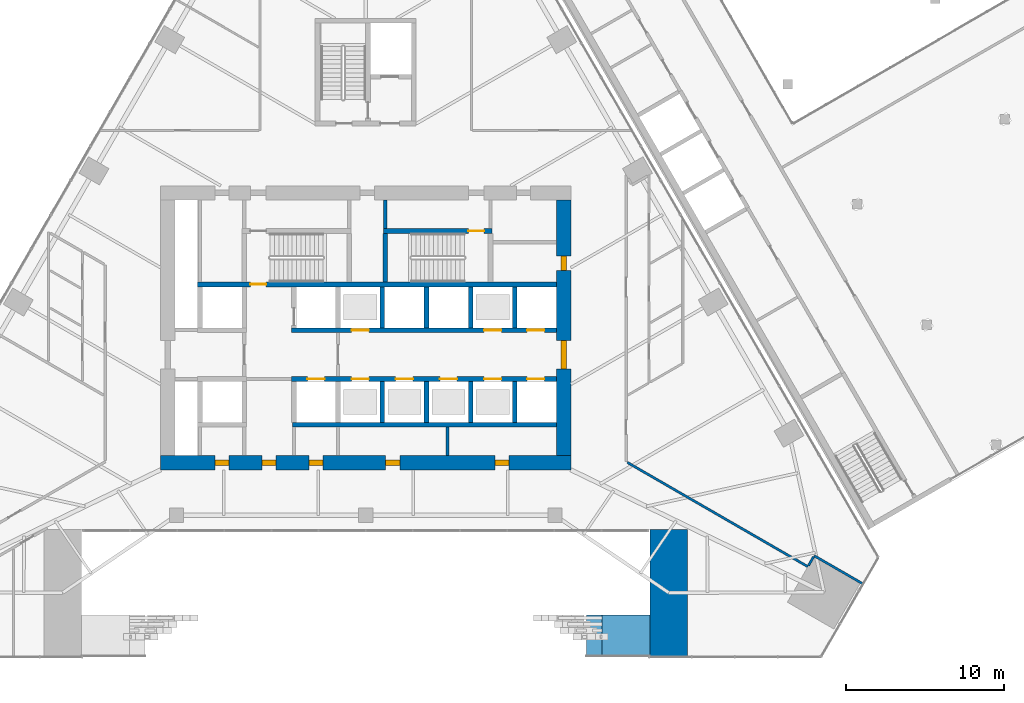
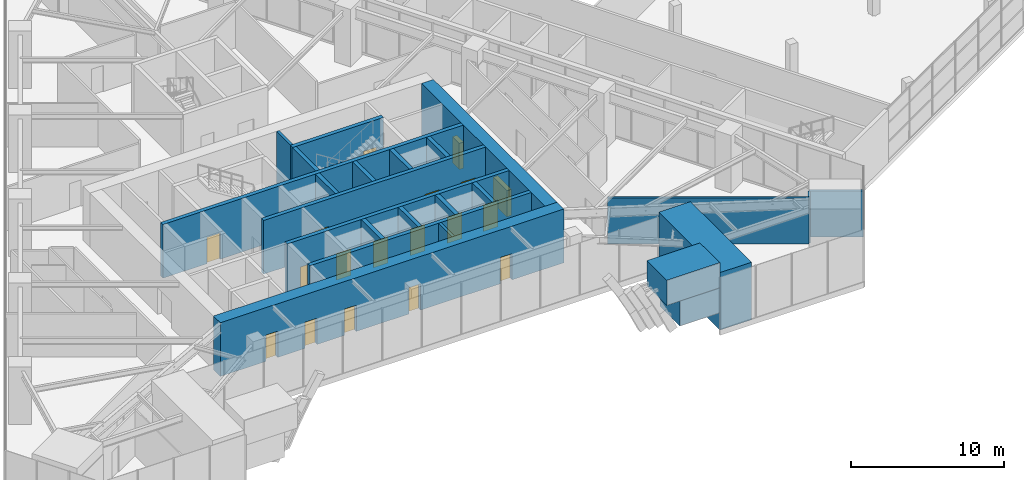
# One storey, part 18 of 30: 24 walls, 18 doors, 18 openings.
"""IFC4 building model written with IfcOpenShell, lengths in metres."""

from ifc_helpers import new_model, si_unit, direction, frame, frame_2d, origin, place, context, subcontext, project, spatial, rectangle, extrude, material, layer, layer_set, type_object, element, fill, save


model = new_model("IFC4")

# Units and contexts
model_context = context("Model", 3, precision=1e-05, world=origin(), true_north=direction((0.0, 1.0)))
body_context = subcontext(model_context, "Body", "Model", "MODEL_VIEW")
ifc_project = project(units=[si_unit("LENGTHUNIT", "METRE"), si_unit("AREAUNIT", "SQUARE_METRE"), si_unit("VOLUMEUNIT", "CUBIC_METRE"), si_unit("PLANEANGLEUNIT", "RADIAN"), si_unit("MASSUNIT", "GRAM", prefix="KILO")], contexts=[model_context])

# Site, building, storey
site_placement = place(None, origin())
site = spatial("IfcSite", under=ifc_project, at=site_placement, CompositionType="ELEMENT")
building_placement = place(site_placement, origin())
building = spatial("IfcBuilding", under=site, at=building_placement, Name="Firuza Gate Tower and Library", CompositionType="ELEMENT")
storey_placement = place(building_placement, frame((0.0, 0.0, 12.60009765625)))
storey = spatial("IfcBuildingStorey", under=building, at=storey_placement, Name="L02", CompositionType="ELEMENT", Elevation=12.60009765625)

# Walls
ifc_material_1 = material(Name="Plasterboard on steel studs", Category="steel")
ifc_layer_1 = layer(ifc_material_1, 0.199951171875)
ifc_layer_set_1 = layer_set([ifc_layer_1], Name="Core partition 200 EI 120")
wall_type_1 = type_object("IfcWallType", Name="Core partition 200 EI 120", PredefinedType="PARTITIONING", material=ifc_layer_set_1)
wall_1_placement = place(storey_placement, frame((80.175048828125, 66.89990234375, 0.0), z_axis=(0.0, 0.0, 1.0), x_axis=(0.0, 1.0, 0.0)))
element("IfcWall", 1, at=wall_1_placement, inside=storey, type_object=wall_type_1, Name="Core partition L02 15", PredefinedType="PARTITIONING", context=body_context, shape_type="SweptSolid", body=[
    extrude(rectangle(XDim=1.800048828125, YDim=0.199951171875, at=frame_2d((0.89990234375, 0.0))), origin(), (0.0, 0.0, 1.0), 4.2998046875),
])
ifc_material_2 = material(Name="Plasterboard on steel studs", Category="steel")
ifc_layer_2 = layer(ifc_material_2, 0.199951171875)
ifc_layer_set_2 = layer_set([ifc_layer_2], Name="Core partition 200 EI 60")
wall_type_2 = type_object("IfcWallType", Name="Core partition 200 EI 60", PredefinedType="PARTITIONING", material=ifc_layer_set_2)
wall_2_placement = place(storey_placement, frame((76.239990234375, 81.280029296875, 0.0), z_axis=(0.0, 0.0, 1.0), x_axis=(0.0, 1.0, 0.0)))
element("IfcWall", 2, at=wall_2_placement, inside=storey, type_object=wall_type_2, Name="Core partition L02 14", PredefinedType="PARTITIONING", context=body_context, shape_type="SweptSolid", body=[
    extrude(rectangle(XDim=1.820068359375, YDim=0.199951171875, at=frame_2d((0.91015625, 0.0))), origin(), (0.0, 0.0, 1.0), 4.2998046875),
])
ifc_material_3 = material(Name="Concrete C80/95", Category="concrete")
ifc_layer_3 = layer(ifc_material_3, 0.300048828125)
ifc_layer_set_3 = layer_set([ifc_layer_3], Name="Core wall 300 C80/95")
wall_type_3 = type_object("IfcWallType", Name="Core wall 300 C80/95", PredefinedType="SHEAR", material=ifc_layer_set_3)
wall_3_placement = place(storey_placement, frame((70.35009765625, 68.85009765625, 0.0), z_axis=(0.0, 0.0, 1.0), x_axis=(1.0, 0.0, 0.0)))
element("IfcWall", 3, at=wall_3_placement, inside=storey, type_object=wall_type_3, Name="Core wall L02 6", PredefinedType="SHEAR", context=body_context, shape_type="SweptSolid", body=[
    extrude(rectangle(XDim=16.75, YDim=0.300048828125, at=frame_2d((8.375, 0.0))), origin(), (0.0, 0.0, 1.0), 4.2998046875),
])

# Wall, openings, doors
wall_4_placement = place(storey_placement, frame((70.300048828125, 71.75, 0.0), z_axis=(0.0, 0.0, 1.0), x_axis=(1.0, 0.0, 0.0)))
wall_4 = element("IfcWall", 4, at=wall_4_placement, inside=storey, type_object=wall_type_3, Name="Core wall L02 8", PredefinedType="SHEAR", context=body_context, shape_type="SweptSolid", body=[
    extrude(rectangle(XDim=16.800048828125, YDim=0.300048828125, at=frame_2d((8.39990234375, 0.0))), origin(), (0.0, 0.0, 1.0), 4.2998046875),
])
opening_1_placement = place(wall_4_placement, frame((1.0, 0.0, 0.0)))
opening_1 = element("IfcOpeningElement", 5, at=opening_1_placement, cuts=wall_4, Name="Opening LD-FF1-L02", PredefinedType="OPENING", context=body_context, shape_type="SweptSolid", body=[
    extrude(rectangle(XDim=1.10009765625, YDim=2.10009765625, at=frame_2d((0.550048828125, 1.050048828125))), frame((0.0, 0.16015625, 0.0), z_axis=(0.0, -1.0, 0.0), x_axis=(1.0, 0.0, 0.0)), (0.0, 0.0, 1.0), 0.320068359375),
])
opening_2_placement = place(wall_4_placement, frame((3.800048828125, 0.0, 0.0)))
opening_2 = element("IfcOpeningElement", 6, at=opening_2_placement, cuts=wall_4, Name="Opening LD-LR1-L02", PredefinedType="OPENING", context=body_context, shape_type="SweptSolid", body=[
    extrude(rectangle(XDim=1.10009765625, YDim=2.10009765625, at=frame_2d((0.550048828125, 1.050048828125))), frame((0.0, 0.16015625, 0.0), z_axis=(0.0, -1.0, 0.0), x_axis=(1.0, 0.0, 0.0)), (0.0, 0.0, 1.0), 0.320068359375),
])
opening_3_placement = place(wall_4_placement, frame((6.60009765625, 0.0, 0.0)))
opening_3 = element("IfcOpeningElement", 7, at=opening_3_placement, cuts=wall_4, Name="Opening LD-LR2-L02", PredefinedType="OPENING", context=body_context, shape_type="SweptSolid", body=[
    extrude(rectangle(XDim=1.10009765625, YDim=2.10009765625, at=frame_2d((0.550048828125, 1.050048828125))), frame((0.0, 0.16015625, 0.0), z_axis=(0.0, -1.0, 0.0), x_axis=(1.0, 0.0, 0.0)), (0.0, 0.0, 1.0), 0.320068359375),
])
opening_4_placement = place(wall_4_placement, frame((9.39990234375, 0.0, 0.0)))
opening_4 = element("IfcOpeningElement", 8, at=opening_4_placement, cuts=wall_4, Name="Opening LD-LR3-L02", PredefinedType="OPENING", context=body_context, shape_type="SweptSolid", body=[
    extrude(rectangle(XDim=1.10009765625, YDim=2.10009765625, at=frame_2d((0.550048828125, 1.050048828125))), frame((0.0, 0.16015625, 0.0), z_axis=(0.0, -1.0, 0.0), x_axis=(1.0, 0.0, 0.0)), (0.0, 0.0, 1.0), 0.320068359375),
])
opening_5_placement = place(wall_4_placement, frame((12.199951171875, 0.0, 0.0)))
opening_5 = element("IfcOpeningElement", 9, at=opening_5_placement, cuts=wall_4, Name="Opening LD-LR5-L02", PredefinedType="OPENING", context=body_context, shape_type="SweptSolid", body=[
    extrude(rectangle(XDim=1.10009765625, YDim=2.10009765625, at=frame_2d((0.550048828125, 1.050048828125))), frame((0.0, 0.16015625, 0.0), z_axis=(0.0, -1.0, 0.0), x_axis=(1.0, 0.0, 0.0)), (0.0, 0.0, 1.0), 0.320068359375),
])
opening_6_placement = place(wall_4_placement, frame((14.925048828125, 0.0, 0.0)))
opening_6 = element("IfcOpeningElement", 10, at=opening_6_placement, cuts=wall_4, Name="Opening LD-LR7-L02", PredefinedType="OPENING", context=body_context, shape_type="SweptSolid", body=[
    extrude(rectangle(XDim=1.10009765625, YDim=2.10009765625, at=frame_2d((0.550048828125, 1.050048828125))), frame((0.0, 0.16015625, 0.0), z_axis=(0.0, -1.0, 0.0), x_axis=(1.0, 0.0, 0.0)), (0.0, 0.0, 1.0), 0.320068359375),
])
ifc_material_4 = material(Name="Stainless steel", Category="steel")
door_type_1 = type_object("IfcDoorType", Name="Lift landing door 1100x2100", OperationType="DOUBLE_DOOR_SLIDING", PredefinedType="DOOR", material=ifc_material_4)
door_1_placement = place(opening_1_placement, origin())
door_1 = element("IfcDoor", 11, at=door_1_placement, inside=storey, type_object=door_type_1, Name="Landing door FF1 L02", OperationType="DOUBLE_DOOR_SLIDING", OverallHeight=2.10009765625, OverallWidth=1.10009765625, PredefinedType="DOOR", context=body_context, shape_type="SweptSolid", body=[
    extrude(rectangle(XDim=1.10009765625, YDim=2.10009765625, at=frame_2d((0.550048828125, 1.050048828125))), frame((0.0, 0.02490234375, 0.0), z_axis=(0.0, -1.0, 0.0), x_axis=(1.0, 0.0, 0.0)), (0.0, 0.0, 1.0), 0.050048828125),
])
fill(opening_1, door_1)
door_2_placement = place(opening_2_placement, origin())
door_2 = element("IfcDoor", 12, at=door_2_placement, inside=storey, type_object=door_type_1, Name="Landing door LR1 L02", OperationType="DOUBLE_DOOR_SLIDING", OverallHeight=2.10009765625, OverallWidth=1.10009765625, PredefinedType="DOOR", context=body_context, shape_type="SweptSolid", body=[
    extrude(rectangle(XDim=1.10009765625, YDim=2.10009765625, at=frame_2d((0.550048828125, 1.050048828125))), frame((0.0, 0.02490234375, 0.0), z_axis=(0.0, -1.0, 0.0), x_axis=(1.0, 0.0, 0.0)), (0.0, 0.0, 1.0), 0.050048828125),
])
fill(opening_2, door_2)
door_3_placement = place(opening_3_placement, origin())
door_3 = element("IfcDoor", 13, at=door_3_placement, inside=storey, type_object=door_type_1, Name="Landing door LR2 L02", OperationType="DOUBLE_DOOR_SLIDING", OverallHeight=2.10009765625, OverallWidth=1.10009765625, PredefinedType="DOOR", context=body_context, shape_type="SweptSolid", body=[
    extrude(rectangle(XDim=1.10009765625, YDim=2.10009765625, at=frame_2d((0.550048828125, 1.050048828125))), frame((0.0, 0.02490234375, 0.0), z_axis=(0.0, -1.0, 0.0), x_axis=(1.0, 0.0, 0.0)), (0.0, 0.0, 1.0), 0.050048828125),
])
fill(opening_3, door_3)
door_4_placement = place(opening_4_placement, origin())
door_4 = element("IfcDoor", 14, at=door_4_placement, inside=storey, type_object=door_type_1, Name="Landing door LR3 L02", OperationType="DOUBLE_DOOR_SLIDING", OverallHeight=2.10009765625, OverallWidth=1.10009765625, PredefinedType="DOOR", context=body_context, shape_type="SweptSolid", body=[
    extrude(rectangle(XDim=1.10009765625, YDim=2.10009765625, at=frame_2d((0.550048828125, 1.050048828125))), frame((0.0, 0.02490234375, 0.0), z_axis=(0.0, -1.0, 0.0), x_axis=(1.0, 0.0, 0.0)), (0.0, 0.0, 1.0), 0.050048828125),
])
fill(opening_4, door_4)
door_5_placement = place(opening_5_placement, origin())
door_5 = element("IfcDoor", 15, at=door_5_placement, inside=storey, type_object=door_type_1, Name="Landing door LR5 L02", OperationType="DOUBLE_DOOR_SLIDING", OverallHeight=2.10009765625, OverallWidth=1.10009765625, PredefinedType="DOOR", context=body_context, shape_type="SweptSolid", body=[
    extrude(rectangle(XDim=1.10009765625, YDim=2.10009765625, at=frame_2d((0.550048828125, 1.050048828125))), frame((0.0, 0.02490234375, 0.0), z_axis=(0.0, -1.0, 0.0), x_axis=(1.0, 0.0, 0.0)), (0.0, 0.0, 1.0), 0.050048828125),
])
fill(opening_5, door_5)
door_6_placement = place(opening_6_placement, origin())
door_6 = element("IfcDoor", 16, at=door_6_placement, inside=storey, type_object=door_type_1, Name="Landing door LR7 L02", OperationType="DOUBLE_DOOR_SLIDING", OverallHeight=2.10009765625, OverallWidth=1.10009765625, PredefinedType="DOOR", context=body_context, shape_type="SweptSolid", body=[
    extrude(rectangle(XDim=1.10009765625, YDim=2.10009765625, at=frame_2d((0.550048828125, 1.050048828125))), frame((0.0, 0.02490234375, 0.0), z_axis=(0.0, -1.0, 0.0), x_axis=(1.0, 0.0, 0.0)), (0.0, 0.0, 1.0), 0.050048828125),
])
fill(opening_6, door_6)

wall_5_placement = place(storey_placement, frame((70.300048828125, 74.85009765625, 0.0), z_axis=(0.0, 0.0, 1.0), x_axis=(1.0, 0.0, 0.0)))
wall_5 = element("IfcWall", 17, at=wall_5_placement, inside=storey, type_object=wall_type_3, Name="Core wall L02 10", PredefinedType="SHEAR", context=body_context, shape_type="SweptSolid", body=[
    extrude(rectangle(XDim=16.800048828125, YDim=0.300048828125, at=frame_2d((8.39990234375, 0.0))), origin(), (0.0, 0.0, 1.0), 4.2998046875),
])
opening_7_placement = place(wall_5_placement, frame((3.800048828125, 0.0, 0.0)))
opening_7 = element("IfcOpeningElement", 18, at=opening_7_placement, cuts=wall_5, Name="Opening LD-LR4-L02", PredefinedType="OPENING", context=body_context, shape_type="SweptSolid", body=[
    extrude(rectangle(XDim=1.10009765625, YDim=2.10009765625, at=frame_2d((0.550048828125, 1.050048828125))), frame((0.0, 0.16015625, 0.0), z_axis=(0.0, -1.0, 0.0), x_axis=(1.0, 0.0, 0.0)), (0.0, 0.0, 1.0), 0.320068359375),
])
opening_8_placement = place(wall_5_placement, frame((12.199951171875, 0.0, 0.0)))
opening_8 = element("IfcOpeningElement", 19, at=opening_8_placement, cuts=wall_5, Name="Opening LD-LR6-L02", PredefinedType="OPENING", context=body_context, shape_type="SweptSolid", body=[
    extrude(rectangle(XDim=1.10009765625, YDim=2.10009765625, at=frame_2d((0.550048828125, 1.050048828125))), frame((0.0, 0.16015625, 0.0), z_axis=(0.0, -1.0, 0.0), x_axis=(1.0, 0.0, 0.0)), (0.0, 0.0, 1.0), 0.320068359375),
])
opening_9_placement = place(wall_5_placement, frame((14.925048828125, 0.0, 0.0)))
opening_9 = element("IfcOpeningElement", 20, at=opening_9_placement, cuts=wall_5, Name="Opening LD-LR8-L02", PredefinedType="OPENING", context=body_context, shape_type="SweptSolid", body=[
    extrude(rectangle(XDim=1.10009765625, YDim=2.10009765625, at=frame_2d((0.550048828125, 1.050048828125))), frame((0.0, 0.16015625, 0.0), z_axis=(0.0, -1.0, 0.0), x_axis=(1.0, 0.0, 0.0)), (0.0, 0.0, 1.0), 0.320068359375),
])
door_7_placement = place(opening_7_placement, origin())
door_7 = element("IfcDoor", 21, at=door_7_placement, inside=storey, type_object=door_type_1, Name="Landing door LR4 L02", OperationType="DOUBLE_DOOR_SLIDING", OverallHeight=2.10009765625, OverallWidth=1.10009765625, PredefinedType="DOOR", context=body_context, shape_type="SweptSolid", body=[
    extrude(rectangle(XDim=1.10009765625, YDim=2.10009765625, at=frame_2d((0.550048828125, 1.050048828125))), frame((0.0, 0.02490234375, 0.0), z_axis=(0.0, -1.0, 0.0), x_axis=(1.0, 0.0, 0.0)), (0.0, 0.0, 1.0), 0.050048828125),
])
fill(opening_7, door_7)
door_8_placement = place(opening_8_placement, origin())
door_8 = element("IfcDoor", 22, at=door_8_placement, inside=storey, type_object=door_type_1, Name="Landing door LR6 L02", OperationType="DOUBLE_DOOR_SLIDING", OverallHeight=2.10009765625, OverallWidth=1.10009765625, PredefinedType="DOOR", context=body_context, shape_type="SweptSolid", body=[
    extrude(rectangle(XDim=1.10009765625, YDim=2.10009765625, at=frame_2d((0.550048828125, 1.050048828125))), frame((0.0, 0.02490234375, 0.0), z_axis=(0.0, -1.0, 0.0), x_axis=(1.0, 0.0, 0.0)), (0.0, 0.0, 1.0), 0.050048828125),
])
fill(opening_8, door_8)
door_9_placement = place(opening_9_placement, origin())
door_9 = element("IfcDoor", 23, at=door_9_placement, inside=storey, type_object=door_type_1, Name="Landing door LR8 L02", OperationType="DOUBLE_DOOR_SLIDING", OverallHeight=2.10009765625, OverallWidth=1.10009765625, PredefinedType="DOOR", context=body_context, shape_type="SweptSolid", body=[
    extrude(rectangle(XDim=1.10009765625, YDim=2.10009765625, at=frame_2d((0.550048828125, 1.050048828125))), frame((0.0, 0.02490234375, 0.0), z_axis=(0.0, -1.0, 0.0), x_axis=(1.0, 0.0, 0.0)), (0.0, 0.0, 1.0), 0.050048828125),
])
fill(opening_9, door_9)

# Walls
for number, where, z_axis, x_axis, name in (
    (24, (76.050048828125, 69.0, 0.0), (0.0, 0.0, 1.0), (0.0, 1.0, 0.0), "Core wall L02 19"),
    (25, (76.050048828125, 75.0, 0.0), (0.0, 0.0, 1.0), (0.0, 1.0, 0.0), "Core wall L02 20"),
    (26, (78.85009765625, 69.0, 0.0), (0.0, 0.0, 1.0), (0.0, 1.0, 0.0), "Core wall L02 21"),
    (27, (78.85009765625, 75.0, 0.0), (0.0, 0.0, 1.0), (0.0, 1.0, 0.0), "Core wall L02 22"),
    (28, (81.64990234375, 69.0, 0.0), (0.0, 0.0, 1.0), (0.0, 1.0, 0.0), "Core wall L02 23"),
    (29, (81.64990234375, 75.0, 0.0), (0.0, 0.0, 1.0), (0.0, 1.0, 0.0), "Core wall L02 24"),
    (30, (84.449951171875, 69.0, 0.0), (0.0, 0.0, 1.0), (0.0, 1.0, 0.0), "Core wall L02 25"),
    (31, (84.449951171875, 75.0, 0.0), (0.0, 0.0, 1.0), (0.0, 1.0, 0.0), "Core wall L02 26"),
):
    element("IfcWall", number, at=place(storey_placement, frame(where, z_axis=z_axis, x_axis=x_axis)), inside=storey, type_object=wall_type_3, Name=name, PredefinedType="SHEAR", context=body_context, shape_type="SweptSolid", body=[
        extrude(rectangle(XDim=2.60009765625, YDim=0.300048828125, at=frame_2d((1.300048828125, 0.0))), origin(), (0.0, 0.0, 1.0), 4.2998046875),
    ])

# Wall, opening, door
wall_6_placement = place(storey_placement, frame((64.35009765625, 77.75, 0.0), z_axis=(0.0, 0.0, 1.0), x_axis=(1.0, 0.0, 0.0)))
wall_6 = element("IfcWall", 32, at=wall_6_placement, inside=storey, type_object=wall_type_3, Name="Core wall L02 27", PredefinedType="SHEAR", context=body_context, shape_type="SweptSolid", body=[
    extrude(rectangle(XDim=22.75, YDim=0.300048828125, at=frame_2d((11.375, 0.0))), origin(), (0.0, 0.0, 1.0), 4.2998046875),
])
opening_10_placement = place(wall_6_placement, frame((3.344970703125, 0.0, 0.0)))
opening_10 = element("IfcOpeningElement", 33, at=opening_10_placement, cuts=wall_6, Name="Opening L02-K12", PredefinedType="OPENING", context=body_context, shape_type="SweptSolid", body=[
    extrude(rectangle(XDim=1.0, YDim=2.10009765625, at=frame_2d((0.5, 1.050048828125))), frame((0.0, 0.16015625, 0.0), z_axis=(0.0, -1.0, 0.0), x_axis=(1.0, 0.0, 0.0)), (0.0, 0.0, 1.0), 0.320068359375),
])
ifc_material_5 = material(Name="Steel", Category="steel")
door_type_2 = type_object("IfcDoorType", Name="Fire door 1000x2100 FD90", OperationType="NOTDEFINED", PredefinedType="DOOR", material=ifc_material_5)
door_10_placement = place(opening_10_placement, origin())
door_10 = element("IfcDoor", 34, at=door_10_placement, inside=storey, type_object=door_type_2, Name="Door L02-K12", OperationType="SINGLE_SWING_LEFT", OverallHeight=2.10009765625, OverallWidth=1.0, PredefinedType="DOOR", context=body_context, shape_type="SweptSolid", body=[
    extrude(rectangle(XDim=1.0, YDim=2.10009765625, at=frame_2d((0.5, 1.050048828125))), frame((0.0, 0.02490234375, 0.0), z_axis=(0.0, -1.0, 0.0), x_axis=(1.0, 0.0, 0.0)), (0.0, 0.0, 1.0), 0.050048828125),
])
fill(opening_10, door_10)

wall_7_placement = place(storey_placement, frame((76.139892578125, 81.1298828125, 0.0), z_axis=(0.0, 0.0, 1.0), x_axis=(1.0, 0.0, 0.0)))
wall_7 = element("IfcWall", 35, at=wall_7_placement, inside=storey, type_object=wall_type_3, Name="Core wall L02 29", PredefinedType="SHEAR", context=body_context, shape_type="SweptSolid", body=[
    extrude(rectangle(XDim=6.860107421875, YDim=0.300048828125, at=frame_2d((3.43017578125, 0.0))), origin(), (0.0, 0.0, 1.0), 4.2998046875),
])
opening_11_placement = place(wall_7_placement, frame((5.364990234375, 0.0, 0.0)))
opening_11 = element("IfcOpeningElement", 36, at=opening_11_placement, cuts=wall_7, Name="Opening L02-K15", PredefinedType="OPENING", context=body_context, shape_type="SweptSolid", body=[
    extrude(rectangle(XDim=1.0, YDim=2.10009765625, at=frame_2d((0.5, 1.050048828125))), frame((0.0, 0.16015625, 0.0), z_axis=(0.0, -1.0, 0.0), x_axis=(1.0, 0.0, 0.0)), (0.0, 0.0, 1.0), 0.320068359375),
])
door_11_placement = place(opening_11_placement, origin())
door_11 = element("IfcDoor", 37, at=door_11_placement, inside=storey, type_object=door_type_2, Name="Door L02-K15", OperationType="SINGLE_SWING_RIGHT", OverallHeight=2.10009765625, OverallWidth=1.0, PredefinedType="DOOR", context=body_context, shape_type="SweptSolid", body=[
    extrude(rectangle(XDim=1.0, YDim=2.10009765625, at=frame_2d((0.5, 1.050048828125))), frame((0.0, 0.02490234375, 0.0), z_axis=(0.0, -1.0, 0.0), x_axis=(1.0, 0.0, 0.0)), (0.0, 0.0, 1.0), 0.050048828125),
])
fill(opening_11, door_11)

# Wall
wall_8_placement = place(storey_placement, frame((76.239990234375, 77.89990234375, 0.0), z_axis=(0.0, 0.0, 1.0), x_axis=(0.0, 1.0, 0.0)))
element("IfcWall", 38, at=wall_8_placement, inside=storey, type_object=wall_type_3, Name="Core wall L02 32", PredefinedType="SHEAR", context=body_context, shape_type="SweptSolid", body=[
    extrude(rectangle(XDim=3.080078125, YDim=0.300048828125, at=frame_2d((1.5400390625, 0.0))), origin(), (0.0, 0.0, 1.0), 4.2998046875),
])

# Wall, openings, doors
ifc_material_6 = material(Name="Concrete C80/95", Category="concrete")
ifc_layer_4 = layer(ifc_material_6, 0.89990234375)
ifc_layer_set_4 = layer_set([ifc_layer_4], Name="Core wall 900 C80/95")
wall_type_4 = type_object("IfcWallType", Name="Core wall 900 C80/95", PredefinedType="SHEAR", material=ifc_layer_set_4)
wall_9_placement = place(storey_placement, frame((62.0, 66.449951171875, 0.0), z_axis=(0.0, 0.0, 1.0), x_axis=(1.0, 0.0, 0.0)))
wall_9 = element("IfcWall", 39, at=wall_9_placement, inside=storey, type_object=wall_type_4, Name="Core wall L02 1", PredefinedType="SHEAR", context=body_context, shape_type="SweptSolid", body=[
    extrude(rectangle(XDim=26.0, YDim=0.89990234375, at=frame_2d((13.0, 0.0))), origin(), (0.0, 0.0, 1.0), 4.2998046875),
])
opening_12_placement = place(wall_9_placement, frame((3.449951171875, 0.0, 0.0)))
opening_12 = element("IfcOpeningElement", 40, at=opening_12_placement, cuts=wall_9, Name="Opening L02-K24", PredefinedType="OPENING", context=body_context, shape_type="SweptSolid", body=[
    extrude(rectangle(XDim=0.89990234375, YDim=2.10009765625, at=frame_2d((0.449951171875, 1.050048828125))), frame((0.0, 0.4599609375, 0.0), z_axis=(0.0, -1.0, 0.0), x_axis=(1.0, 0.0, 0.0)), (0.0, 0.0, 1.0), 0.919921875),
])
opening_13_placement = place(wall_9_placement, frame((6.425048828125, 0.0, 0.0)))
opening_13 = element("IfcOpeningElement", 41, at=opening_13_placement, cuts=wall_9, Name="Opening L02-K25", PredefinedType="OPENING", context=body_context, shape_type="SweptSolid", body=[
    extrude(rectangle(XDim=0.89990234375, YDim=2.10009765625, at=frame_2d((0.449951171875, 1.050048828125))), frame((0.0, 0.4599609375, 0.0), z_axis=(0.0, -1.0, 0.0), x_axis=(1.0, 0.0, 0.0)), (0.0, 0.0, 1.0), 0.919921875),
])
opening_14_placement = place(wall_9_placement, frame((9.39990234375, 0.0, 0.0)))
opening_14 = element("IfcOpeningElement", 42, at=opening_14_placement, cuts=wall_9, Name="Opening L02-K26", PredefinedType="OPENING", context=body_context, shape_type="SweptSolid", body=[
    extrude(rectangle(XDim=0.89990234375, YDim=2.10009765625, at=frame_2d((0.449951171875, 1.050048828125))), frame((0.0, 0.4599609375, 0.0), z_axis=(0.0, -1.0, 0.0), x_axis=(1.0, 0.0, 0.0)), (0.0, 0.0, 1.0), 0.919921875),
])
opening_15_placement = place(wall_9_placement, frame((14.262451171875, 0.0, 0.0)))
opening_15 = element("IfcOpeningElement", 43, at=opening_15_placement, cuts=wall_9, Name="Opening L02-K27", PredefinedType="OPENING", context=body_context, shape_type="SweptSolid", body=[
    extrude(rectangle(XDim=0.89990234375, YDim=2.10009765625, at=frame_2d((0.449951171875, 1.050048828125))), frame((0.0, 0.4599609375, 0.0), z_axis=(0.0, -1.0, 0.0), x_axis=(1.0, 0.0, 0.0)), (0.0, 0.0, 1.0), 0.919921875),
])
opening_16_placement = place(wall_9_placement, frame((21.1875, 0.0, 0.0)))
opening_16 = element("IfcOpeningElement", 44, at=opening_16_placement, cuts=wall_9, Name="Opening L02-K28", PredefinedType="OPENING", context=body_context, shape_type="SweptSolid", body=[
    extrude(rectangle(XDim=0.89990234375, YDim=2.10009765625, at=frame_2d((0.449951171875, 1.050048828125))), frame((0.0, 0.4599609375, 0.0), z_axis=(0.0, -1.0, 0.0), x_axis=(1.0, 0.0, 0.0)), (0.0, 0.0, 1.0), 0.919921875),
])
ifc_material_7 = material(Name="Steel", Category="steel")
door_type_3 = type_object("IfcDoorType", Name="Fire door 900x2100 FD30S", OperationType="NOTDEFINED", PredefinedType="DOOR", material=ifc_material_7)
door_12_placement = place(opening_12_placement, origin())
door_12 = element("IfcDoor", 45, at=door_12_placement, inside=storey, type_object=door_type_3, Name="Door L02-K24", OperationType="SINGLE_SWING_LEFT", OverallHeight=2.10009765625, OverallWidth=0.89990234375, PredefinedType="DOOR", context=body_context, shape_type="SweptSolid", body=[
    extrude(rectangle(XDim=0.89990234375, YDim=2.10009765625, at=frame_2d((0.449951171875, 1.050048828125))), frame((0.0, 0.169921875, 0.0), z_axis=(0.0, -1.0, 0.0), x_axis=(1.0, 0.0, 0.0)), (0.0, 0.0, 1.0), 0.33984375),
])
fill(opening_12, door_12)
door_13_placement = place(opening_13_placement, origin())
door_13 = element("IfcDoor", 46, at=door_13_placement, inside=storey, type_object=door_type_3, Name="Door L02-K25", OperationType="SINGLE_SWING_RIGHT", OverallHeight=2.10009765625, OverallWidth=0.89990234375, PredefinedType="DOOR", context=body_context, shape_type="SweptSolid", body=[
    extrude(rectangle(XDim=0.89990234375, YDim=2.10009765625, at=frame_2d((0.449951171875, 1.050048828125))), frame((0.0, 0.169921875, 0.0), z_axis=(0.0, -1.0, 0.0), x_axis=(1.0, 0.0, 0.0)), (0.0, 0.0, 1.0), 0.33984375),
])
fill(opening_13, door_13)
door_14_placement = place(opening_14_placement, origin())
door_14 = element("IfcDoor", 47, at=door_14_placement, inside=storey, type_object=door_type_3, Name="Door L02-K26", OperationType="SINGLE_SWING_LEFT", OverallHeight=2.10009765625, OverallWidth=0.89990234375, PredefinedType="DOOR", context=body_context, shape_type="SweptSolid", body=[
    extrude(rectangle(XDim=0.89990234375, YDim=2.10009765625, at=frame_2d((0.449951171875, 1.050048828125))), frame((0.0, 0.169921875, 0.0), z_axis=(0.0, -1.0, 0.0), x_axis=(1.0, 0.0, 0.0)), (0.0, 0.0, 1.0), 0.33984375),
])
fill(opening_14, door_14)
door_15_placement = place(opening_15_placement, origin())
door_15 = element("IfcDoor", 48, at=door_15_placement, inside=storey, type_object=door_type_3, Name="Door L02-K27", OperationType="SINGLE_SWING_RIGHT", OverallHeight=2.10009765625, OverallWidth=0.89990234375, PredefinedType="DOOR", context=body_context, shape_type="SweptSolid", body=[
    extrude(rectangle(XDim=0.89990234375, YDim=2.10009765625, at=frame_2d((0.449951171875, 1.050048828125))), frame((0.0, 0.169921875, 0.0), z_axis=(0.0, -1.0, 0.0), x_axis=(1.0, 0.0, 0.0)), (0.0, 0.0, 1.0), 0.33984375),
])
fill(opening_15, door_15)
door_16_placement = place(opening_16_placement, origin())
door_16 = element("IfcDoor", 49, at=door_16_placement, inside=storey, type_object=door_type_3, Name="Door L02-K28", OperationType="SINGLE_SWING_LEFT", OverallHeight=2.10009765625, OverallWidth=0.89990234375, PredefinedType="DOOR", context=body_context, shape_type="SweptSolid", body=[
    extrude(rectangle(XDim=0.89990234375, YDim=2.10009765625, at=frame_2d((0.449951171875, 1.050048828125))), frame((0.0, 0.169921875, 0.0), z_axis=(0.0, -1.0, 0.0), x_axis=(1.0, 0.0, 0.0)), (0.0, 0.0, 1.0), 0.33984375),
])
fill(opening_16, door_16)

wall_10_placement = place(storey_placement, frame((87.550048828125, 66.89990234375, 0.0), z_axis=(0.0, 0.0, 1.0), x_axis=(0.0, 1.0, 0.0)))
wall_10 = element("IfcWall", 50, at=wall_10_placement, inside=storey, type_object=wall_type_4, Name="Core wall L02 4", PredefinedType="SHEAR", context=body_context, shape_type="SweptSolid", body=[
    extrude(rectangle(XDim=16.2001953125, YDim=0.89990234375, at=frame_2d((8.10009765625, 0.0))), origin(), (0.0, 0.0, 1.0), 4.2998046875),
])
opening_17_placement = place(wall_10_placement, frame((5.5, 0.0, 0.0)))
opening_17 = element("IfcOpeningElement", 51, at=opening_17_placement, cuts=wall_10, Name="Opening L02-K23", PredefinedType="OPENING", context=body_context, shape_type="SweptSolid", body=[
    extrude(rectangle(XDim=1.800048828125, YDim=2.10009765625, at=frame_2d((0.89990234375, 1.050048828125))), frame((0.0, 0.4599609375, 0.0), z_axis=(0.0, -1.0, 0.0), x_axis=(1.0, 0.0, 0.0)), (0.0, 0.0, 1.0), 0.919921875),
])
opening_18_placement = place(wall_10_placement, frame((11.737548828125, 0.0, 0.0)))
opening_18 = element("IfcOpeningElement", 52, at=opening_18_placement, cuts=wall_10, Name="Opening L02-K31", PredefinedType="OPENING", context=body_context, shape_type="SweptSolid", body=[
    extrude(rectangle(XDim=0.89990234375, YDim=2.10009765625, at=frame_2d((0.449951171875, 1.050048828125))), frame((0.0, 0.4599609375, 0.0), z_axis=(0.0, -1.0, 0.0), x_axis=(1.0, 0.0, 0.0)), (0.0, 0.0, 1.0), 0.919921875),
])
ifc_material_8 = material(Name="Steel", Category="steel")
door_type_4 = type_object("IfcDoorType", Name="Fire door 1800x2100 FD30S", OperationType="NOTDEFINED", PredefinedType="DOOR", material=ifc_material_8)
door_17_placement = place(opening_17_placement, origin())
door_17 = element("IfcDoor", 53, at=door_17_placement, inside=storey, type_object=door_type_4, Name="Door L02-K23", OperationType="SINGLE_SWING_RIGHT", OverallHeight=2.10009765625, OverallWidth=1.800048828125, PredefinedType="DOOR", context=body_context, shape_type="SweptSolid", body=[
    extrude(rectangle(XDim=1.800048828125, YDim=2.10009765625, at=frame_2d((0.89990234375, 1.050048828125))), frame((0.0, 0.169921875, 0.0), z_axis=(0.0, -1.0, 0.0), x_axis=(1.0, 0.0, 0.0)), (0.0, 0.0, 1.0), 0.33984375),
])
fill(opening_17, door_17)
door_18_placement = place(opening_18_placement, origin())
door_18 = element("IfcDoor", 54, at=door_18_placement, inside=storey, type_object=door_type_3, Name="Door L02-K31", OperationType="SINGLE_SWING_RIGHT", OverallHeight=2.10009765625, OverallWidth=0.89990234375, PredefinedType="DOOR", context=body_context, shape_type="SweptSolid", body=[
    extrude(rectangle(XDim=0.89990234375, YDim=2.10009765625, at=frame_2d((0.449951171875, 1.050048828125))), frame((0.0, 0.169921875, 0.0), z_axis=(0.0, -1.0, 0.0), x_axis=(1.0, 0.0, 0.0)), (0.0, 0.0, 1.0), 0.33984375),
])
fill(opening_18, door_18)

# Walls
ifc_material_9 = material(Name="Gypsum board partition")
ifc_layer_5 = layer(ifc_material_9, 0.14990234375)
ifc_layer_set_5 = layer_set([ifc_layer_5], Name="Corridor wall 150 double board on steel studs")
wall_type_5 = type_object("IfcWallType", Name="Corridor wall 150 double board on steel studs", PredefinedType="PARTITIONING", material=ifc_layer_set_5)
wall_11_placement = place(storey_placement, frame((103.0615234375, 59.93603515625, 0.0), z_axis=(0.0, 0.0, 1.0), x_axis=(0.500163094741, 0.865931220513, 0.0)))
element("IfcWall", 55, at=wall_11_placement, inside=storey, type_object=wall_type_5, Name="f:L02:w012", PredefinedType="PARTITIONING", context=body_context, shape_type="SweptSolid", body=[
    extrude(rectangle(XDim=0.639404296875, YDim=0.14990234375, at=frame_2d((0.31982421875, 0.0))), origin(), (0.0, 0.0, 1.0), 3.699951171875),
])
wall_12_placement = place(storey_placement, frame((106.501953125, 58.775390625, 0.0), z_axis=(0.0, 0.0, 1.0), x_axis=(-0.866014251095, 0.500019316528, 0.0)))
element("IfcWall", 56, at=wall_12_placement, inside=storey, type_object=wall_type_5, Name="f:L02:w028", PredefinedType="PARTITIONING", context=body_context, shape_type="SweptSolid", body=[
    extrude(rectangle(XDim=3.559326171875, YDim=0.14990234375, at=frame_2d((1.77978515625, 0.0))), origin(), (0.0, 0.0, 1.0), 3.699951171875),
])
wall_13_placement = place(storey_placement, frame((103.01904296875, 59.862548828125, 0.0), z_axis=(0.0, 0.0, 1.0), x_axis=(-0.866027754727, 0.499995928025, 0.0)))
element("IfcWall", 57, at=wall_13_placement, inside=storey, type_object=wall_type_5, Name="f:L02:w029", PredefinedType="PARTITIONING", context=body_context, shape_type="SweptSolid", body=[
    extrude(rectangle(XDim=13.21435546875, YDim=0.14990234375, at=frame_2d((6.607177734375, 0.0))), origin(), (0.0, 0.0, 1.0), 3.699951171875),
])
ifc_material_10 = material(Name="Concrete C80/95", Category="concrete")
ifc_layer_6 = layer(ifc_material_10, 2.39990234375)
ifc_layer_set_6 = layer_set([ifc_layer_6], Name="Iwan wall 2400 C80/95")
wall_type_6 = type_object("IfcWallType", Name="Iwan wall 2400 C80/95", PredefinedType="SHEAR", material=ifc_layer_set_6)
wall_14_placement = place(storey_placement, frame((94.199951171875, 54.21533203125, 0.0), z_axis=(0.0, 0.0, 1.0), x_axis=(0.0, 1.0, 0.0)))
element("IfcWall", 58, at=wall_14_placement, inside=storey, type_object=wall_type_6, Name="Iwan wall E L02", PredefinedType="SHEAR", context=body_context, shape_type="SweptSolid", body=[
    extrude(rectangle(XDim=8.0, YDim=2.39990234375, at=frame_2d((4.0, 0.0))), origin(), (0.0, 0.0, 1.0), 4.599853515625),
])
ifc_material_11 = material(Name="Concrete C60/75", Category="concrete")
ifc_layer_7 = layer(ifc_material_11, 2.60009765625)
ifc_layer_set_7 = layer_set([ifc_layer_7], Name="Portal wall 2600 C60/75")
wall_type_7 = type_object("IfcWallType", Name="Portal wall 2600 C60/75", PredefinedType="SOLIDWALL", material=ifc_layer_set_7)
wall_15_placement = place(storey_placement, frame((89.96875, 55.515380859375, 1.39990234375), z_axis=(0.0, 0.0, 1.0), x_axis=(1.0, 0.0, 0.0)))
element("IfcWall", 59, at=wall_15_placement, inside=storey, type_object=wall_type_7, Name="Portal wall course 8", PredefinedType="SOLIDWALL", context=body_context, shape_type="SweptSolid", body=[
    extrude(rectangle(XDim=3.03125, YDim=2.60009765625, at=frame_2d((1.515625, 0.0))), origin(), (0.0, 0.0, 1.0), 2.0),
])
wall_16_placement = place(storey_placement, frame((88.9853515625, 55.515380859375, 3.39990234375), z_axis=(0.0, 0.0, 1.0), x_axis=(1.0, 0.0, 0.0)))
element("IfcWall", 60, at=wall_16_placement, inside=storey, type_object=wall_type_7, Name="Portal wall course 9", PredefinedType="SOLIDWALL", context=body_context, shape_type="SweptSolid", body=[
    extrude(rectangle(XDim=4.0146484375, YDim=2.60009765625, at=frame_2d((2.00732421875, 0.0))), origin(), (0.0, 0.0, 1.0), 2.0),
])

save(model, "model.ifc")
